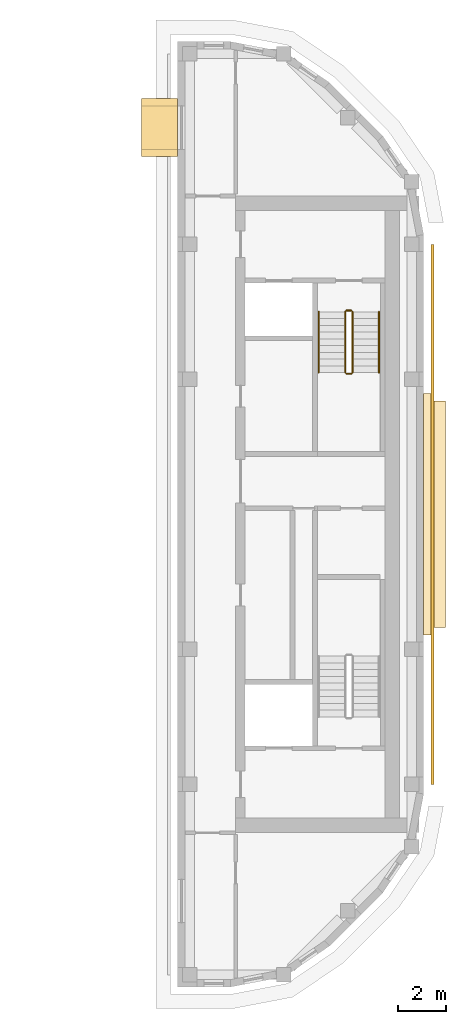
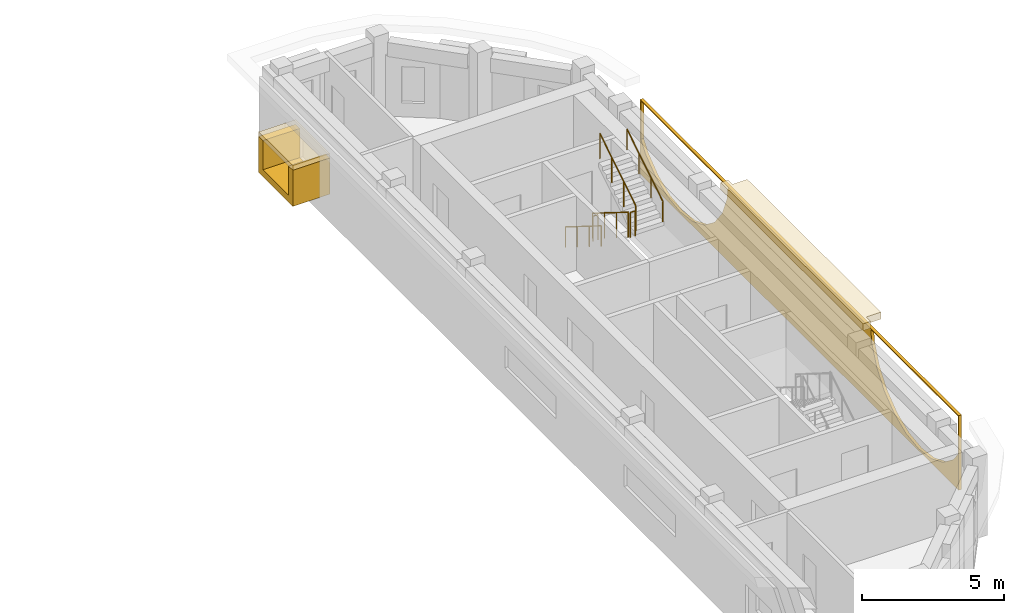
# One storey, part 11 of 11: 6 railings, 4 coverings.
"""IFC4 building model written with IfcOpenShell, lengths in metres."""

from ifc_helpers import new_model, si_unit, direction, frame, origin, origin_2d, place, context, subcontext, project, spatial, polyline, rectangle, circle, outline, extrude, material, layer, layer_set, type_object, element, save


model = new_model("IFC4")

# Units and contexts
model_context = context("Model", 3, precision=1e-05, world=origin(), true_north=direction((0.0, 1.0)))
body_context = subcontext(model_context, "Body", "Model", "MODEL_VIEW")
ifc_project = project(units=[si_unit("LENGTHUNIT", "METRE"), si_unit("AREAUNIT", "SQUARE_METRE"), si_unit("VOLUMEUNIT", "CUBIC_METRE"), si_unit("PLANEANGLEUNIT", "RADIAN"), si_unit("MASSUNIT", "GRAM", prefix="KILO")], contexts=[model_context])

# Site, building, storey
site_placement = place(None, origin())
site = spatial("IfcSite", under=ifc_project, at=site_placement, CompositionType="ELEMENT")
building_placement = place(site_placement, origin())
building = spatial("IfcBuilding", under=site, at=building_placement, Name="Kiln Ring Residences", CompositionType="ELEMENT")
storey_placement = place(building_placement, frame((0.0, 0.0, 303.39990234375)))
storey = spatial("IfcBuildingStorey", under=building, at=storey_placement, Name="L78 Crown", CompositionType="ELEMENT", Elevation=303.39990234375)

# Railings
ifc_material_1 = material(Name="Stainless steel", Category="steel")
railing_type_1 = type_object("IfcRailingType", Name="CORE-STAIR-GUARD", PredefinedType="GUARDRAIL", material=ifc_material_1)
railing_1_placement = place(storey_placement, frame((21.949951171875, 8.39990234375, 0.175048828125)))
element("IfcRailing", 1, at=railing_1_placement, inside=storey, type_object=railing_type_1, Name="L78 Crown E-STN stair guard 1", PredefinedType="GUARDRAIL", context=body_context, shape_type="SweptSolid", body=[
    extrude(circle(Radius=0.02392578125, at=origin_2d()), frame((0.0, 0.0, 1.076171875), z_axis=(0.0, -0.848007534815, 0.529984170421), x_axis=(1.0, 0.0, 0.0)), (0.0, 0.0, 1.0), 2.9716796875),
    extrude(circle(Radius=0.02099609375, at=origin_2d()), origin(), (0.0, 0.0, 1.0), 1.052001953125),
    extrude(circle(Radius=0.02099609375, at=origin_2d()), frame((0.0, -0.840087890625, 0.52490234375)), (0.0, 0.0, 1.0), 1.052001953125),
    extrude(circle(Radius=0.02099609375, at=origin_2d()), frame((0.0, -1.679931640625, 1.050048828125)), (0.0, 0.0, 1.0), 1.052001953125),
    extrude(circle(Radius=0.02099609375, at=origin_2d()), frame((0.0, -2.52001953125, 1.574951171875)), (0.0, 0.0, 1.0), 1.052001953125),
])
railing_2_placement = place(storey_placement, frame((22.0, 5.830078125, 1.75)))
element("IfcRailing", 2, at=railing_2_placement, inside=storey, type_object=railing_type_1, Name="L78 Crown E-STN stair guard 2", PredefinedType="GUARDRAIL", context=body_context, shape_type="SweptSolid", body=[
    extrude(circle(Radius=0.02392578125, at=origin_2d()), frame((0.0, 0.0, 1.076171875), z_axis=(1.0, 0.0, 0.0), x_axis=(0.0, 1.0, 0.0)), (0.0, 0.0, 1.0), 0.199951171875),
    extrude(circle(Radius=0.02099609375, at=origin_2d()), origin(), (0.0, 0.0, 1.0), 1.052001953125),
    extrude(circle(Radius=0.02099609375, at=origin_2d()), frame((0.199951171875, 0.0, 0.0)), (0.0, 0.0, 1.0), 1.052001953125),
])
railing_3_placement = place(storey_placement, frame((22.25, 5.8798828125, 1.925048828125)))
element("IfcRailing", 3, at=railing_3_placement, inside=storey, type_object=railing_type_1, Name="L78 Crown E-STN stair guard 3", PredefinedType="GUARDRAIL", context=body_context, shape_type="SweptSolid", body=[
    extrude(circle(Radius=0.02392578125, at=origin_2d()), frame((0.0, 0.0, 1.076171875), z_axis=(0.0, 0.848007534815, 0.529984170421), x_axis=(-1.0, 0.0, 0.0)), (0.0, 0.0, 1.0), 2.9716796875),
    extrude(circle(Radius=0.02099609375, at=origin_2d()), origin(), (0.0, 0.0, 1.0), 1.052001953125),
    extrude(circle(Radius=0.02099609375, at=origin_2d()), frame((0.0, 0.840087890625, 0.52490234375)), (0.0, 0.0, 1.0), 1.052001953125),
    extrude(circle(Radius=0.02099609375, at=origin_2d()), frame((0.0, 1.679931640625, 1.050048828125)), (0.0, 0.0, 1.0), 1.052001953125),
    extrude(circle(Radius=0.02099609375, at=origin_2d()), frame((0.0, 2.52001953125, 1.574951171875)), (0.0, 0.0, 1.0), 1.052001953125),
])
railing_4_placement = place(storey_placement, frame((22.0, 8.449951171875, 0.0)))
element("IfcRailing", 4, at=railing_4_placement, inside=storey, type_object=railing_type_1, Name="L78 Crown E-STN stair guard 4", PredefinedType="GUARDRAIL", context=body_context, shape_type="SweptSolid", body=[
    extrude(circle(Radius=0.02392578125, at=origin_2d()), frame((0.0, 0.0, 1.076171875), z_axis=(1.0, 0.0, 0.0), x_axis=(0.0, 1.0, 0.0)), (0.0, 0.0, 1.0), 0.199951171875),
    extrude(circle(Radius=0.02099609375, at=origin_2d()), origin(), (0.0, 0.0, 1.0), 1.052001953125),
    extrude(circle(Radius=0.02099609375, at=origin_2d()), frame((0.199951171875, 0.0, 0.0)), (0.0, 0.0, 1.0), 1.052001953125),
])
ifc_material_2 = material(Name="Stainless steel", Category="steel")
railing_type_2 = type_object("IfcRailingType", Name="CORE-STAIR-HANDRAIL", PredefinedType="HANDRAIL", material=ifc_material_2)
railing_5_placement = place(storey_placement, frame((20.85009765625, 8.39990234375, 0.175048828125)))
element("IfcRailing", 5, at=railing_5_placement, inside=storey, type_object=railing_type_2, Name="L78 Crown E-STN stair handrail 1", PredefinedType="HANDRAIL", context=body_context, shape_type="SweptSolid", body=[
    extrude(circle(Radius=0.02392578125, at=origin_2d()), frame((0.0, 0.0, 0.8759765625), z_axis=(0.0, -0.848007534815, 0.529984170421), x_axis=(1.0, 0.0, 0.0)), (0.0, 0.0, 1.0), 2.9716796875),
    extrude(circle(Radius=0.02099609375, at=origin_2d()), origin(), (0.0, 0.0, 1.0), 0.851806640625),
    extrude(circle(Radius=0.02099609375, at=origin_2d()), frame((0.0, -0.840087890625, 0.52490234375)), (0.0, 0.0, 1.0), 0.851806640625),
    extrude(circle(Radius=0.02099609375, at=origin_2d()), frame((0.0, -1.679931640625, 1.050048828125)), (0.0, 0.0, 1.0), 0.851806640625),
    extrude(circle(Radius=0.02099609375, at=origin_2d()), frame((0.0, -2.52001953125, 1.574951171875)), (0.0, 0.0, 1.0), 0.851806640625),
])
railing_6_placement = place(storey_placement, frame((23.35009765625, 5.8798828125, 1.925048828125)))
element("IfcRailing", 6, at=railing_6_placement, inside=storey, type_object=railing_type_2, Name="L78 Crown E-STN stair handrail 2", PredefinedType="HANDRAIL", context=body_context, shape_type="SweptSolid", body=[
    extrude(circle(Radius=0.02392578125, at=origin_2d()), frame((0.0, 0.0, 0.8759765625), z_axis=(0.0, 0.848007534815, 0.529984170421), x_axis=(-1.0, 0.0, 0.0)), (0.0, 0.0, 1.0), 2.9716796875),
    extrude(circle(Radius=0.02099609375, at=origin_2d()), origin(), (0.0, 0.0, 1.0), 0.851806640625),
    extrude(circle(Radius=0.02099609375, at=origin_2d()), frame((0.0, 0.840087890625, 0.52490234375)), (0.0, 0.0, 1.0), 0.851806640625),
    extrude(circle(Radius=0.02099609375, at=origin_2d()), frame((0.0, 1.679931640625, 1.050048828125)), (0.0, 0.0, 1.0), 0.851806640625),
    extrude(circle(Radius=0.02099609375, at=origin_2d()), frame((0.0, 2.52001953125, 1.574951171875)), (0.0, 0.0, 1.0), 0.851806640625),
])

# Coverings
ifc_material_3 = material(Name="Brick masonry, dark clay brick", Category="masonry")
ifc_layer_1 = layer(ifc_material_3, 0.300048828125)
ifc_layer_set_1 = layer_set([ifc_layer_1], Name="FRAME CHEEKS AND SILL 1500")
covering_type_1 = type_object("IfcCoveringType", Name="FRAME CHEEKS AND SILL 1500", PredefinedType="CLADDING", material=ifc_layer_set_1)
covering_1_placement = place(storey_placement, frame((14.25, 17.237548828125, 0.60009765625), z_axis=(0.0, 0.0, 1.0), x_axis=(0.0, -1.0, 0.0)))
element("IfcCovering", 7, at=covering_1_placement, inside=storey, type_object=covering_type_1, Name="FRAME L78 Crown", PredefinedType="CLADDING", context=body_context, shape_type="SweptSolid", body=[
    extrude(outline(polyline([(0.0, 0.0), (2.400146484375, 0.0), (2.39990234375, 1.550048828125), (2.10107421875, 1.550048828125), (2.10009765625, 0.300048828125), (0.300048828125, 0.300048828125), (0.299072265625, 1.550048828125), (0.0, 1.550048828125), (0.0, 0.0)])), frame((0.0, 0.75, 0.0), z_axis=(0.0, -1.0, 0.0), x_axis=(1.0, 0.0, 0.0)), (0.0, 0.0, 1.0), 1.5),
])
ifc_material_4 = material(Name="Brick masonry, dark clay brick", Category="masonry")
ifc_layer_2 = layer(ifc_material_4, 0.199951171875)
ifc_layer_set_2 = layer_set([ifc_layer_2], Name="FRAME HEAD 1500")
covering_type_2 = type_object("IfcCoveringType", Name="FRAME HEAD 1500", PredefinedType="CLADDING", material=ifc_layer_set_2)
covering_2_placement = place(storey_placement, frame((14.25, 16.03759765625, 2.14990234375), z_axis=(0.0, 0.0, 1.0), x_axis=(0.0, -1.0, 0.0)))
element("IfcCovering", 8, at=covering_2_placement, inside=storey, type_object=covering_type_2, Name="FRAME HEAD L78 Crown", PredefinedType="CLADDING", context=body_context, shape_type="SweptSolid", body=[
    extrude(rectangle(XDim=2.39990234375, YDim=1.5, at=origin_2d()), origin(), (0.0, 0.0, 1.0), 0.199951171875),
])
ifc_material_5 = material(Name="Brick masonry, dark clay brick", Category="masonry")
ifc_layer_3 = layer(ifc_material_5, 0.1201171875)
ifc_layer_set_3 = layer_set([ifc_layer_3], Name="RAINSCREEN PANEL 120")
covering_type_3 = type_object("IfcCoveringType", Name="RAINSCREEN PANEL 120", PredefinedType="CLADDING", material=ifc_layer_set_3)
covering_3_placement = place(storey_placement, frame((25.56005859375, -11.199951171875, 0.0), z_axis=(0.0, 0.0, 1.0), x_axis=(0.0, 1.0, 0.0)))
element("IfcCovering", 9, at=covering_3_placement, inside=storey, type_object=covering_type_3, Name="RAINSCREEN L78 Crown", PredefinedType="CLADDING", context=body_context, shape_type="SweptSolid", body=[
    extrude(outline(polyline([(0.0, 0.0), (22.39990234375, 0.0), (22.39990234375, 3.2001953125), (0.0, 3.2001953125), (0.0, 0.0)]), holes=[polyline([(5.21826171875, 1.081787109375), (5.76171875, 1.7900390625), (6.103515625, 2.614990234375), (6.173828125, 3.150146484375), (0.050048828125, 3.150146484375), (0.050048828125, 1.51416015625), (0.381591796875, 1.081787109375), (1.090087890625, 0.538330078125), (1.914794921875, 0.196533203125), (2.800048828125, 0.080078125), (3.685302734375, 0.196533203125), (4.510009765625, 0.538330078125), (5.21826171875, 1.081787109375)]), polyline([(22.018310546875, 1.081787109375), (22.35009765625, 1.51416015625), (22.35009765625, 3.150146484375), (16.22607421875, 3.150146484375), (16.29638671875, 2.614990234375), (16.63818359375, 1.7900390625), (17.181640625, 1.081787109375), (17.889892578125, 0.538330078125), (18.71484375, 0.196533203125), (19.60009765625, 0.080078125), (20.485107421875, 0.196533203125), (21.31005859375, 0.538330078125), (22.018310546875, 1.081787109375)])]), frame((0.0, 0.06005859375, 0.0), z_axis=(0.0, -1.0, 0.0), x_axis=(1.0, 0.0, 0.0)), (0.0, 0.0, 1.0), 0.1201171875),
])
ifc_material_6 = material(Name="Black powder-coated steel", Category="steel")
ifc_layer_4 = layer(ifc_material_6, 0.300048828125)
ifc_layer_set_4 = layer_set([ifc_layer_4], Name="SUNSHADE FIN 600")
covering_type_4 = type_object("IfcCoveringType", Name="SUNSHADE FIN 600", PredefinedType="CLADDING", material=ifc_layer_set_4)
covering_4_placement = place(storey_placement, frame((0.0, 0.0, 3.2001953125)))
element("IfcCovering", 10, at=covering_4_placement, inside=storey, type_object=covering_type_4, Name="SUNSHADE FIN L78 Crown", PredefinedType="CLADDING", context=body_context, shape_type="SweptSolid", body=[
    extrude(outline(polyline([(25.199951171875, 5.010009765625), (25.199951171875, -5.010009765625), (25.5, -5.010009765625), (25.5, -4.699951171875), (26.10009765625, -4.699951171875), (26.10009765625, 4.699951171875), (25.5, 4.699951171875), (25.5, 5.010009765625), (25.199951171875, 5.010009765625)])), origin(), (0.0, 0.0, 1.0), 0.2998046875),
])

save(model, "model.ifc")
